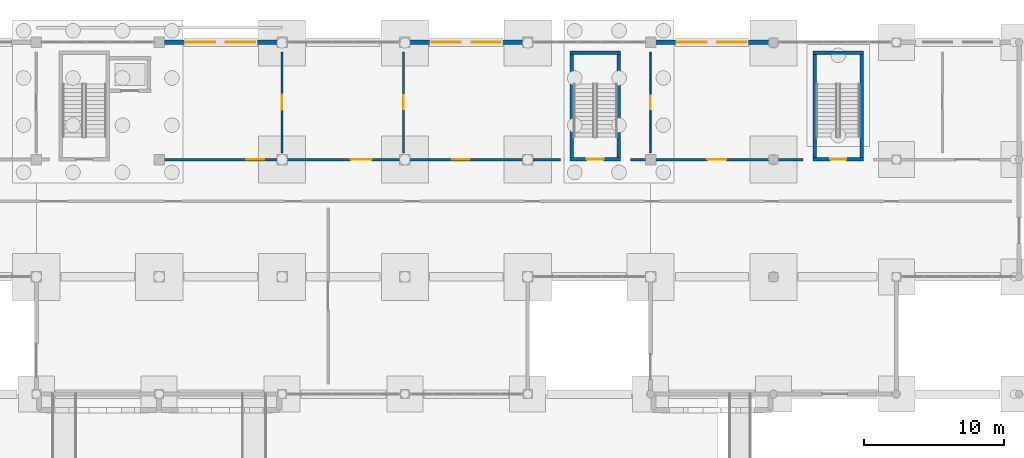
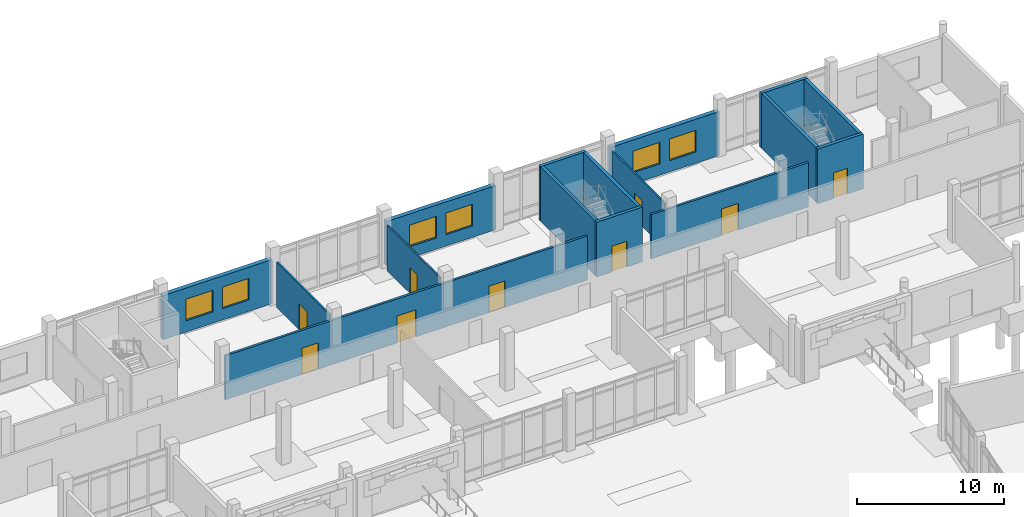
# One storey, part 49 of 72: 16 walls, 9 doors, 6 windows, 15 openings.
"""IFC4 building model written with IfcOpenShell, lengths in metres."""

from ifc_helpers import new_model, si_unit, direction, frame, frame_2d, origin, place, context, subcontext, project, spatial, rectangle, extrude, material, layer, layer_set, type_object, element, fill, save


model = new_model("IFC4")

# Units and contexts
model_context = context("Model", 3, precision=1e-05, world=origin(), true_north=direction((0.0, 1.0)))
body_context = subcontext(model_context, "Body", "Model", "MODEL_VIEW")
ifc_project = project(units=[si_unit("LENGTHUNIT", "METRE"), si_unit("AREAUNIT", "SQUARE_METRE"), si_unit("VOLUMEUNIT", "CUBIC_METRE"), si_unit("PLANEANGLEUNIT", "RADIAN"), si_unit("MASSUNIT", "GRAM", prefix="KILO")], contexts=[model_context])

# Site, building, storey
site_placement = place(None, origin())
site = spatial("IfcSite", under=ifc_project, at=site_placement, CompositionType="ELEMENT")
building_placement = place(site_placement, origin())
building = spatial("IfcBuilding", under=site, at=building_placement, Name="Cinderway Yard Community Centre", CompositionType="ELEMENT")
storey_placement = place(building_placement, origin())
storey = spatial("IfcBuildingStorey", under=building, at=storey_placement, Name="L00", CompositionType="ELEMENT", Elevation=0.0)

# Wall, openings, windows
ifc_material_1 = material(Name="Brick Masonry", Category="masonry")
ifc_layer_1 = layer(ifc_material_1, 0.340087890625, Name="Brick Masonry")
ifc_layer_set_1 = layer_set([ifc_layer_1], Name="Brick Masonry")
wall_type_1 = type_object("IfcWallType", Name="ENV-WAL-EXT340", PredefinedType="SOLIDWALL", material=ifc_layer_set_1)
wall_1_placement = place(storey_placement, frame((84.10009765625, 115.199951171875, 0.0), z_axis=(0.0, 0.0, 1.0), x_axis=(1.0, 0.0, 0.0)))
wall_1 = element("IfcWall", 1, at=wall_1_placement, inside=storey, type_object=wall_type_1, Name="V4 Street Brick Facade Wall ENV-WAL-L00-0129", PredefinedType="SOLIDWALL", context=body_context, shape_type="SweptSolid", body=[
    extrude(rectangle(XDim=8.599853515625, YDim=0.340087890625, at=frame_2d((4.2998046875, 0.0))), origin(), (0.0, 0.0, 1.0), 3.675048828125),
])
opening_1_placement = place(wall_1_placement, frame((1.81689453125, 0.0, 0.949951171875)))
opening_1 = element("IfcOpeningElement", 2, at=opening_1_placement, cuts=wall_1, Name="Opening W-09", PredefinedType="OPENING", context=body_context, shape_type="SweptSolid", body=[
    extrude(rectangle(XDim=2.10009765625, YDim=1.800048828125, at=frame_2d((1.050048828125, 0.89990234375))), frame((0.0, 0.179931640625, 0.0), z_axis=(0.0, -1.0, 0.0), x_axis=(1.0, 0.0, 0.0)), (0.0, 0.0, 1.0), 0.360107421875),
])
opening_2_placement = place(wall_1_placement, frame((4.68310546875, 0.0, 0.949951171875)))
opening_2 = element("IfcOpeningElement", 3, at=opening_2_placement, cuts=wall_1, Name="Opening W-09", PredefinedType="OPENING", context=body_context, shape_type="SweptSolid", body=[
    extrude(rectangle(XDim=2.10009765625, YDim=1.800048828125, at=frame_2d((1.050048828125, 0.89990234375))), frame((0.0, 0.179931640625, 0.0), z_axis=(0.0, -1.0, 0.0), x_axis=(1.0, 0.0, 0.0)), (0.0, 0.0, 1.0), 0.360107421875),
])
ifc_material_2 = material(Name="Laminated Low-E Glass", Category="glass")
window_type = type_object("IfcWindowType", Name="ENV-WIN-W09", PartitioningType="TRIPLE_PANEL_VERTICAL", PredefinedType="WINDOW", material=ifc_material_2)
window_1_placement = place(opening_1_placement, origin())
window_1 = element("IfcWindow", 4, at=window_1_placement, inside=storey, type_object=window_type, Name="Exterior window ENV-WIN-L00-0093", OverallHeight=1.800048828125, OverallWidth=2.10009765625, PartitioningType="SINGLE_PANEL", PredefinedType="WINDOW", context=body_context, shape_type="SweptSolid", body=[
    extrude(rectangle(XDim=2.10009765625, YDim=1.800048828125, at=frame_2d((1.050048828125, 0.89990234375))), frame((0.0, 0.030029296875, 0.0), z_axis=(0.0, -1.0, 0.0), x_axis=(1.0, 0.0, 0.0)), (0.0, 0.0, 1.0), 0.06005859375),
])
fill(opening_1, window_1)
window_2_placement = place(opening_2_placement, origin())
window_2 = element("IfcWindow", 5, at=window_2_placement, inside=storey, type_object=window_type, Name="Exterior window ENV-WIN-L00-0094", OverallHeight=1.800048828125, OverallWidth=2.10009765625, PartitioningType="SINGLE_PANEL", PredefinedType="WINDOW", context=body_context, shape_type="SweptSolid", body=[
    extrude(rectangle(XDim=2.10009765625, YDim=1.800048828125, at=frame_2d((1.050048828125, 0.89990234375))), frame((0.0, 0.030029296875, 0.0), z_axis=(0.0, -1.0, 0.0), x_axis=(1.0, 0.0, 0.0)), (0.0, 0.0, 1.0), 0.06005859375),
])
fill(opening_2, window_2)

wall_2_placement = place(storey_placement, frame((101.699951171875, 115.199951171875, 0.0), z_axis=(0.0, 0.0, 1.0), x_axis=(1.0, 0.0, 0.0)))
wall_2 = element("IfcWall", 6, at=wall_2_placement, inside=storey, type_object=wall_type_1, Name="V4 Street Brick Facade Wall ENV-WAL-L00-0131", PredefinedType="SOLIDWALL", context=body_context, shape_type="SweptSolid", body=[
    extrude(rectangle(XDim=8.60009765625, YDim=0.340087890625, at=frame_2d((4.300048828125, 0.0))), origin(), (0.0, 0.0, 1.0), 3.675048828125),
])
opening_3_placement = place(wall_2_placement, frame((1.81689453125, 0.0, 0.949951171875)))
opening_3 = element("IfcOpeningElement", 7, at=opening_3_placement, cuts=wall_2, Name="Opening W-09", PredefinedType="OPENING", context=body_context, shape_type="SweptSolid", body=[
    extrude(rectangle(XDim=2.10009765625, YDim=1.800048828125, at=frame_2d((1.050048828125, 0.89990234375))), frame((0.0, 0.179931640625, 0.0), z_axis=(0.0, -1.0, 0.0), x_axis=(1.0, 0.0, 0.0)), (0.0, 0.0, 1.0), 0.360107421875),
])
opening_4_placement = place(wall_2_placement, frame((4.68310546875, 0.0, 0.949951171875)))
opening_4 = element("IfcOpeningElement", 8, at=opening_4_placement, cuts=wall_2, Name="Opening W-09", PredefinedType="OPENING", context=body_context, shape_type="SweptSolid", body=[
    extrude(rectangle(XDim=2.10009765625, YDim=1.800048828125, at=frame_2d((1.050048828125, 0.89990234375))), frame((0.0, 0.179931640625, 0.0), z_axis=(0.0, -1.0, 0.0), x_axis=(1.0, 0.0, 0.0)), (0.0, 0.0, 1.0), 0.360107421875),
])
window_3_placement = place(opening_3_placement, origin())
window_3 = element("IfcWindow", 9, at=window_3_placement, inside=storey, type_object=window_type, Name="Exterior window ENV-WIN-L00-0095", OverallHeight=1.800048828125, OverallWidth=2.10009765625, PartitioningType="SINGLE_PANEL", PredefinedType="WINDOW", context=body_context, shape_type="SweptSolid", body=[
    extrude(rectangle(XDim=2.10009765625, YDim=1.800048828125, at=frame_2d((1.050048828125, 0.89990234375))), frame((0.0, 0.030029296875, 0.0), z_axis=(0.0, -1.0, 0.0), x_axis=(1.0, 0.0, 0.0)), (0.0, 0.0, 1.0), 0.06005859375),
])
fill(opening_3, window_3)
window_4_placement = place(opening_4_placement, origin())
window_4 = element("IfcWindow", 10, at=window_4_placement, inside=storey, type_object=window_type, Name="Exterior window ENV-WIN-L00-0096", OverallHeight=1.800048828125, OverallWidth=2.10009765625, PartitioningType="SINGLE_PANEL", PredefinedType="WINDOW", context=body_context, shape_type="SweptSolid", body=[
    extrude(rectangle(XDim=2.10009765625, YDim=1.800048828125, at=frame_2d((1.050048828125, 0.89990234375))), frame((0.0, 0.030029296875, 0.0), z_axis=(0.0, -1.0, 0.0), x_axis=(1.0, 0.0, 0.0)), (0.0, 0.0, 1.0), 0.06005859375),
])
fill(opening_4, window_4)

wall_3_placement = place(storey_placement, frame((119.300048828125, 115.199951171875, 0.0), z_axis=(0.0, 0.0, 1.0), x_axis=(1.0, 0.0, 0.0)))
wall_3 = element("IfcWall", 11, at=wall_3_placement, inside=storey, type_object=wall_type_1, Name="V4 Street Brick Facade Wall ENV-WAL-L00-0132", PredefinedType="SOLIDWALL", context=body_context, shape_type="SweptSolid", body=[
    extrude(rectangle(XDim=8.599853515625, YDim=0.340087890625, at=frame_2d((4.2998046875, 0.0))), origin(), (0.0, 0.0, 1.0), 3.675048828125),
])
opening_5_placement = place(wall_3_placement, frame((1.81689453125, 0.0, 0.949951171875)))
opening_5 = element("IfcOpeningElement", 12, at=opening_5_placement, cuts=wall_3, Name="Opening W-09", PredefinedType="OPENING", context=body_context, shape_type="SweptSolid", body=[
    extrude(rectangle(XDim=2.10009765625, YDim=1.800048828125, at=frame_2d((1.050048828125, 0.89990234375))), frame((0.0, 0.179931640625, 0.0), z_axis=(0.0, -1.0, 0.0), x_axis=(1.0, 0.0, 0.0)), (0.0, 0.0, 1.0), 0.360107421875),
])
opening_6_placement = place(wall_3_placement, frame((4.68310546875, 0.0, 0.949951171875)))
opening_6 = element("IfcOpeningElement", 13, at=opening_6_placement, cuts=wall_3, Name="Opening W-09", PredefinedType="OPENING", context=body_context, shape_type="SweptSolid", body=[
    extrude(rectangle(XDim=2.10009765625, YDim=1.800048828125, at=frame_2d((1.050048828125, 0.89990234375))), frame((0.0, 0.179931640625, 0.0), z_axis=(0.0, -1.0, 0.0), x_axis=(1.0, 0.0, 0.0)), (0.0, 0.0, 1.0), 0.360107421875),
])
window_5_placement = place(opening_5_placement, origin())
window_5 = element("IfcWindow", 14, at=window_5_placement, inside=storey, type_object=window_type, Name="Exterior window ENV-WIN-L00-0097", OverallHeight=1.800048828125, OverallWidth=2.10009765625, PartitioningType="SINGLE_PANEL", PredefinedType="WINDOW", context=body_context, shape_type="SweptSolid", body=[
    extrude(rectangle(XDim=2.10009765625, YDim=1.800048828125, at=frame_2d((1.050048828125, 0.89990234375))), frame((0.0, 0.030029296875, 0.0), z_axis=(0.0, -1.0, 0.0), x_axis=(1.0, 0.0, 0.0)), (0.0, 0.0, 1.0), 0.06005859375),
])
fill(opening_5, window_5)
window_6_placement = place(opening_6_placement, origin())
window_6 = element("IfcWindow", 15, at=window_6_placement, inside=storey, type_object=window_type, Name="Exterior window ENV-WIN-L00-0098", OverallHeight=1.800048828125, OverallWidth=2.10009765625, PartitioningType="SINGLE_PANEL", PredefinedType="WINDOW", context=body_context, shape_type="SweptSolid", body=[
    extrude(rectangle(XDim=2.10009765625, YDim=1.800048828125, at=frame_2d((1.050048828125, 0.89990234375))), frame((0.0, 0.030029296875, 0.0), z_axis=(0.0, -1.0, 0.0), x_axis=(1.0, 0.0, 0.0)), (0.0, 0.0, 1.0), 0.06005859375),
])
fill(opening_6, window_6)

# Wall, opening, door
ifc_material_3 = material(Name="Gypsum Board Partition", Category="gypsum")
ifc_layer_2 = layer(ifc_material_3, 0.1201171875, Name="Gypsum Board Partition")
ifc_layer_set_2 = layer_set([ifc_layer_2], Name="Gypsum Board Partition")
wall_type_2 = type_object("IfcWallType", Name="INT-WAL-PRT120", PredefinedType="PARTITIONING", material=ifc_layer_set_2)
wall_4_placement = place(storey_placement, frame((92.800048828125, 107.300048828125, 0.0), z_axis=(0.0, 0.0, 1.0), x_axis=(0.0, 1.0, 0.0)))
wall_4 = element("IfcWall", 16, at=wall_4_placement, inside=storey, type_object=wall_type_2, Name="V4 L00 North Room Partition INT-PRT-L00-0287", PredefinedType="PARTITIONING", context=body_context, shape_type="SweptSolid", body=[
    extrude(rectangle(XDim=7.199951171875, YDim=0.1201171875, at=frame_2d((3.60009765625, 0.0))), origin(), (0.0, 0.0, 1.0), 3.77490234375),
])
opening_7_placement = place(wall_4_placement, frame((3.070068359375, 0.0, 0.0)))
opening_7 = element("IfcOpeningElement", 17, at=opening_7_placement, cuts=wall_4, Name="Opening D-04", PredefinedType="OPENING", context=body_context, shape_type="SweptSolid", body=[
    extrude(rectangle(XDim=1.06005859375, YDim=2.159912109375, at=frame_2d((0.530029296875, 1.080078125))), frame((0.0, 0.070068359375, 0.0), z_axis=(0.0, -1.0, 0.0), x_axis=(1.0, 0.0, 0.0)), (0.0, 0.0, 1.0), 0.14013671875),
])
ifc_material_4 = material(Name="Hardwood Timber", Category="wood")
door_type_1 = type_object("IfcDoorType", Name="INT-DOR-CLS106", OperationType="NOTDEFINED", PredefinedType="DOOR", material=ifc_material_4)
door_1_placement = place(opening_7_placement, origin())
door_1 = element("IfcDoor", 18, at=door_1_placement, inside=storey, type_object=door_type_1, Name="Room door INT-DOR-L00-0150", OperationType="SINGLE_SWING_RIGHT", OverallHeight=2.159912109375, OverallWidth=1.06005859375, PredefinedType="DOOR", context=body_context, shape_type="SweptSolid", body=[
    extrude(rectangle(XDim=1.06005859375, YDim=2.159912109375, at=frame_2d((0.530029296875, 1.080078125))), frame((0.0, 0.02490234375, 0.0), z_axis=(0.0, -1.0, 0.0), x_axis=(1.0, 0.0, 0.0)), (0.0, 0.0, 1.0), 0.050048828125),
])
fill(opening_7, door_1)

wall_5_placement = place(storey_placement, frame((101.5, 107.300048828125, 0.0), z_axis=(0.0, 0.0, 1.0), x_axis=(0.0, 1.0, 0.0)))
wall_5 = element("IfcWall", 19, at=wall_5_placement, inside=storey, type_object=wall_type_2, Name="V4 L00 North Room Partition INT-PRT-L00-0288", PredefinedType="PARTITIONING", context=body_context, shape_type="SweptSolid", body=[
    extrude(rectangle(XDim=7.199951171875, YDim=0.1201171875, at=frame_2d((3.60009765625, 0.0))), origin(), (0.0, 0.0, 1.0), 3.77490234375),
])
opening_8_placement = place(wall_5_placement, frame((3.10009765625, 0.0, 0.0)))
opening_8 = element("IfcOpeningElement", 20, at=opening_8_placement, cuts=wall_5, Name="Opening D-05", PredefinedType="OPENING", context=body_context, shape_type="SweptSolid", body=[
    extrude(rectangle(XDim=1.0, YDim=2.139892578125, at=frame_2d((0.5, 1.06982421875))), frame((0.0, 0.070068359375, 0.0), z_axis=(0.0, -1.0, 0.0), x_axis=(1.0, 0.0, 0.0)), (0.0, 0.0, 1.0), 0.14013671875),
])
door_type_2 = type_object("IfcDoorType", Name="INT-DOR-CLS100", OperationType="NOTDEFINED", PredefinedType="DOOR", material=ifc_material_4)
door_2_placement = place(opening_8_placement, origin())
door_2 = element("IfcDoor", 21, at=door_2_placement, inside=storey, type_object=door_type_2, Name="Room door INT-DOR-L00-0151", OperationType="SINGLE_SWING_LEFT", OverallHeight=2.139892578125, OverallWidth=1.0, PredefinedType="DOOR", context=body_context, shape_type="SweptSolid", body=[
    extrude(rectangle(XDim=1.0, YDim=2.139892578125, at=frame_2d((0.5, 1.06982421875))), frame((0.0, 0.02490234375, 0.0), z_axis=(0.0, -1.0, 0.0), x_axis=(1.0, 0.0, 0.0)), (0.0, 0.0, 1.0), 0.050048828125),
])
fill(opening_8, door_2)

wall_6_placement = place(storey_placement, frame((119.199951171875, 107.300048828125, 0.0), z_axis=(0.0, 0.0, 1.0), x_axis=(0.0, 1.0, 0.0)))
wall_6 = element("IfcWall", 22, at=wall_6_placement, inside=storey, type_object=wall_type_2, Name="V4 L00 North Room Partition INT-PRT-L00-0289", PredefinedType="PARTITIONING", context=body_context, shape_type="SweptSolid", body=[
    extrude(rectangle(XDim=7.199951171875, YDim=0.1201171875, at=frame_2d((3.60009765625, 0.0))), origin(), (0.0, 0.0, 1.0), 3.77490234375),
])
opening_9_placement = place(wall_6_placement, frame((3.110107421875, 0.0, 0.0)))
opening_9 = element("IfcOpeningElement", 23, at=opening_9_placement, cuts=wall_6, Name="Opening D-06", PredefinedType="OPENING", context=body_context, shape_type="SweptSolid", body=[
    extrude(rectangle(XDim=0.97998046875, YDim=2.1201171875, at=frame_2d((0.489990234375, 1.06005859375))), frame((0.0, 0.070068359375, 0.0), z_axis=(0.0, -1.0, 0.0), x_axis=(1.0, 0.0, 0.0)), (0.0, 0.0, 1.0), 0.14013671875),
])
door_type_3 = type_object("IfcDoorType", Name="INT-DOR-OFF098", OperationType="NOTDEFINED", PredefinedType="DOOR", material=ifc_material_4)
door_3_placement = place(opening_9_placement, origin())
door_3 = element("IfcDoor", 24, at=door_3_placement, inside=storey, type_object=door_type_3, Name="Room door INT-DOR-L00-0152", OperationType="SINGLE_SWING_RIGHT", OverallHeight=2.1201171875, OverallWidth=0.97998046875, PredefinedType="DOOR", context=body_context, shape_type="SweptSolid", body=[
    extrude(rectangle(XDim=0.97998046875, YDim=2.1201171875, at=frame_2d((0.489990234375, 1.06005859375))), frame((0.0, 0.02490234375, 0.0), z_axis=(0.0, -1.0, 0.0), x_axis=(1.0, 0.0, 0.0)), (0.0, 0.0, 1.0), 0.050048828125),
])
fill(opening_9, door_3)

# Wall, openings, doors
ifc_layer_3 = layer(ifc_material_1, 0.179931640625, Name="Brick Masonry")
ifc_layer_set_3 = layer_set([ifc_layer_3], Name="Brick Masonry")
wall_type_3 = type_object("IfcWallType", Name="INT-WAL-PRT180", PredefinedType="PARTITIONING", material=ifc_layer_set_3)
wall_7_placement = place(storey_placement, frame((84.199951171875, 106.800048828125, 0.0), z_axis=(0.0, 0.0, 1.0), x_axis=(1.0, 0.0, 0.0)))
wall_7 = element("IfcWall", 25, at=wall_7_placement, inside=storey, type_object=wall_type_3, Name="V4 L00 North Corridor Spine INT-PRT-L00-0280", PredefinedType="PARTITIONING", context=body_context, shape_type="SweptSolid", body=[
    extrude(rectangle(XDim=28.530029296875, YDim=0.179931640625, at=frame_2d((14.26513671875, 0.0))), origin(), (0.0, 0.0, 1.0), 3.675048828125),
])
opening_10_placement = place(wall_7_placement, frame((6.032958984375, 0.0, 0.0)))
opening_10 = element("IfcOpeningElement", 26, at=opening_10_placement, cuts=wall_7, Name="Opening D-12", PredefinedType="OPENING", context=body_context, shape_type="SweptSolid", body=[
    extrude(rectangle(XDim=1.300048828125, YDim=2.199951171875, at=frame_2d((0.64990234375, 1.10009765625))), frame((0.0, 0.099853515625, 0.0), z_axis=(0.0, -1.0, 0.0), x_axis=(1.0, 0.0, 0.0)), (0.0, 0.0, 1.0), 0.199951171875),
])
opening_11_placement = place(wall_7_placement, frame((13.514892578125, 0.0, 0.0)))
opening_11 = element("IfcOpeningElement", 27, at=opening_11_placement, cuts=wall_7, Name="Opening D-13", PredefinedType="OPENING", context=body_context, shape_type="SweptSolid", body=[
    extrude(rectangle(XDim=1.5, YDim=2.25, at=frame_2d((0.75, 1.125))), frame((0.0, 0.099853515625, 0.0), z_axis=(0.0, -1.0, 0.0), x_axis=(1.0, 0.0, 0.0)), (0.0, 0.0, 1.0), 0.199951171875),
])
opening_12_placement = place(wall_7_placement, frame((20.777099609375, 0.0, 0.0)))
opening_12 = element("IfcOpeningElement", 28, at=opening_12_placement, cuts=wall_7, Name="Opening D-14", PredefinedType="OPENING", context=body_context, shape_type="SweptSolid", body=[
    extrude(rectangle(XDim=1.239990234375, YDim=2.199951171875, at=frame_2d((0.6201171875, 1.10009765625))), frame((0.0, 0.099853515625, 0.0), z_axis=(0.0, -1.0, 0.0), x_axis=(1.0, 0.0, 0.0)), (0.0, 0.0, 1.0), 0.199951171875),
])
ifc_material_5 = material(Name="Painted Galvanised Steel", Category="steel")
door_type_4 = type_object("IfcDoorType", Name="INT-DOR-PLT130", OperationType="NOTDEFINED", PredefinedType="DOOR", material=ifc_material_5)
door_4_placement = place(opening_10_placement, origin())
door_4 = element("IfcDoor", 29, at=door_4_placement, inside=storey, type_object=door_type_4, Name="Room door INT-DOR-L00-0141", OperationType="SINGLE_SWING_RIGHT", OverallHeight=2.199951171875, OverallWidth=1.300048828125, PredefinedType="DOOR", context=body_context, shape_type="SweptSolid", body=[
    extrude(rectangle(XDim=1.300048828125, YDim=2.199951171875, at=frame_2d((0.64990234375, 1.10009765625))), frame((0.0, 0.02490234375, 0.0), z_axis=(0.0, -1.0, 0.0), x_axis=(1.0, 0.0, 0.0)), (0.0, 0.0, 1.0), 0.050048828125),
])
fill(opening_10, door_4)
door_type_5 = type_object("IfcDoorType", Name="INT-DOR-PLT150", OperationType="DOUBLE_DOOR_SINGLE_SWING", PredefinedType="DOOR", material=ifc_material_5)
door_5_placement = place(opening_11_placement, origin())
door_5 = element("IfcDoor", 30, at=door_5_placement, inside=storey, type_object=door_type_5, Name="Room door INT-DOR-L00-0142", OperationType="DOUBLE_DOOR_SINGLE_SWING", OverallHeight=2.25, OverallWidth=1.5, PredefinedType="DOOR", context=body_context, shape_type="SweptSolid", body=[
    extrude(rectangle(XDim=1.5, YDim=2.25, at=frame_2d((0.75, 1.125))), frame((0.0, 0.02490234375, 0.0), z_axis=(0.0, -1.0, 0.0), x_axis=(1.0, 0.0, 0.0)), (0.0, 0.0, 1.0), 0.050048828125),
])
fill(opening_11, door_5)
door_type_6 = type_object("IfcDoorType", Name="INT-DOR-STU124", OperationType="NOTDEFINED", PredefinedType="DOOR", material=ifc_material_4)
door_6_placement = place(opening_12_placement, origin())
door_6 = element("IfcDoor", 31, at=door_6_placement, inside=storey, type_object=door_type_6, Name="Room door INT-DOR-L00-0143", OperationType="SINGLE_SWING_LEFT", OverallHeight=2.199951171875, OverallWidth=1.239990234375, PredefinedType="DOOR", context=body_context, shape_type="SweptSolid", body=[
    extrude(rectangle(XDim=1.239990234375, YDim=2.199951171875, at=frame_2d((0.6201171875, 1.10009765625))), frame((0.0, 0.02490234375, 0.0), z_axis=(0.0, -1.0, 0.0), x_axis=(1.0, 0.0, 0.0)), (0.0, 0.0, 1.0), 0.050048828125),
])
fill(opening_12, door_6)

# Wall, opening, door
wall_8_placement = place(storey_placement, frame((117.75, 106.800048828125, 0.0), z_axis=(0.0, 0.0, 1.0), x_axis=(1.0, 0.0, 0.0)))
wall_8 = element("IfcWall", 32, at=wall_8_placement, inside=storey, type_object=wall_type_3, Name="V4 L00 North Corridor Spine INT-PRT-L00-0281", PredefinedType="PARTITIONING", context=body_context, shape_type="SweptSolid", body=[
    extrude(rectangle(XDim=12.3798828125, YDim=0.179931640625, at=frame_2d((6.18994140625, 0.0))), origin(), (0.0, 0.0, 1.0), 3.675048828125),
])
opening_13_placement = place(wall_8_placement, frame((5.510009765625, 0.0, 0.0)))
opening_13 = element("IfcOpeningElement", 33, at=opening_13_placement, cuts=wall_8, Name="Opening D-15", PredefinedType="OPENING", context=body_context, shape_type="SweptSolid", body=[
    extrude(rectangle(XDim=1.360107421875, YDim=2.219970703125, at=frame_2d((0.68017578125, 1.10986328125))), frame((0.0, 0.099853515625, 0.0), z_axis=(0.0, -1.0, 0.0), x_axis=(1.0, 0.0, 0.0)), (0.0, 0.0, 1.0), 0.199951171875),
])
door_type_7 = type_object("IfcDoorType", Name="INT-DOR-STU136", OperationType="DOUBLE_DOOR_SINGLE_SWING", PredefinedType="DOOR", material=ifc_material_4)
door_7_placement = place(opening_13_placement, origin())
door_7 = element("IfcDoor", 34, at=door_7_placement, inside=storey, type_object=door_type_7, Name="Room door INT-DOR-L00-0144", OperationType="DOUBLE_DOOR_SINGLE_SWING", OverallHeight=2.219970703125, OverallWidth=1.360107421875, PredefinedType="DOOR", context=body_context, shape_type="SweptSolid", body=[
    extrude(rectangle(XDim=1.360107421875, YDim=2.219970703125, at=frame_2d((0.68017578125, 1.10986328125))), frame((0.0, 0.02490234375, 0.0), z_axis=(0.0, -1.0, 0.0), x_axis=(1.0, 0.0, 0.0)), (0.0, 0.0, 1.0), 0.050048828125),
])
fill(opening_13, door_7)

ifc_material_6 = material(Name="Concrete C40/50", Category="concrete")
ifc_layer_4 = layer(ifc_material_6, 0.25, Name="Concrete C40/50")
ifc_layer_set_4 = layer_set([ifc_layer_4], Name="Concrete C40/50")
wall_type_4 = type_object("IfcWallType", Name="INT-WAL-SHR250", PredefinedType="SHEAR", material=ifc_layer_set_4)
wall_9_placement = place(storey_placement, frame((117.044921875, 106.830078125, 0.0), z_axis=(0.0, 0.0, 1.0), x_axis=(-1.0, 0.0, 0.0)))
wall_9 = element("IfcWall", 35, at=wall_9_placement, inside=storey, type_object=wall_type_4, Name="Stair ST-03 Entry Wall INT-WAL-L00-0085", PredefinedType="SHEAR", context=body_context, shape_type="SweptSolid", body=[
    extrude(rectangle(XDim=3.60986328125, YDim=0.25, at=frame_2d((1.804931640625, 0.0))), origin(), (0.0, 0.0, 1.0), 4.56005859375),
])
opening_14_placement = place(wall_9_placement, frame((1.205078125, 0.0, 0.0)))
opening_14 = element("IfcOpeningElement", 36, at=opening_14_placement, cuts=wall_9, Name="Opening D-ST1", PredefinedType="OPENING", context=body_context, shape_type="SweptSolid", body=[
    extrude(rectangle(XDim=1.199951171875, YDim=2.14990234375, at=frame_2d((0.60009765625, 1.074951171875))), frame((0.0, 0.135009765625, 0.0), z_axis=(0.0, -1.0, 0.0), x_axis=(1.0, 0.0, 0.0)), (0.0, 0.0, 1.0), 0.27001953125),
])
door_type_8 = type_object("IfcDoorType", Name="INT-DOR-ST120", OperationType="NOTDEFINED", PredefinedType="DOOR", material=ifc_material_5)
door_8_placement = place(opening_14_placement, origin())
door_8 = element("IfcDoor", 37, at=door_8_placement, inside=storey, type_object=door_type_8, Name="Core door INT-DOR-L00-0025", OperationType="SINGLE_SWING_LEFT", OverallHeight=2.14990234375, OverallWidth=1.199951171875, PredefinedType="DOOR", context=body_context, shape_type="SweptSolid", body=[
    extrude(rectangle(XDim=1.199951171875, YDim=2.14990234375, at=frame_2d((0.60009765625, 1.074951171875))), frame((0.0, 0.02490234375, 0.0), z_axis=(0.0, -1.0, 0.0), x_axis=(1.0, 0.0, 0.0)), (0.0, 0.0, 1.0), 0.050048828125),
])
fill(opening_14, door_8)

# Walls
wall_10_placement = place(storey_placement, frame((113.43505859375, 114.469970703125, 0.0), z_axis=(0.0, 0.0, 1.0), x_axis=(1.0, 0.0, 0.0)))
element("IfcWall", 38, at=wall_10_placement, inside=storey, type_object=wall_type_4, Name="Stair ST-03 Back Wall INT-WAL-L00-0086", PredefinedType="SHEAR", context=body_context, shape_type="SweptSolid", body=[
    extrude(rectangle(XDim=3.60986328125, YDim=0.25, at=frame_2d((1.804931640625, 0.0))), origin(), (0.0, 0.0, 1.0), 4.56005859375),
])
for number, where, z_axis, x_axis, name in (
    (39, (113.56005859375, 106.955078125, 0.0), (0.0, 0.0, 1.0), (0.0, 1.0, 0.0), "Stair ST-03 Side Wall L INT-WAL-L00-0087"),
    (40, (116.919921875, 114.344970703125, 0.0), (0.0, 0.0, 1.0), (0.0, -1.0, 0.0), "Stair ST-03 Side Wall R INT-WAL-L00-0088"),
):
    element("IfcWall", number, at=place(storey_placement, frame(where, z_axis=z_axis, x_axis=x_axis)), inside=storey, type_object=wall_type_4, Name=name, PredefinedType="SHEAR", context=body_context, shape_type="SweptSolid", body=[
        extrude(rectangle(XDim=7.389892578125, YDim=0.25, at=frame_2d((3.69482421875, 0.0))), origin(), (0.0, 0.0, 1.0), 4.56005859375),
    ])

# Wall, opening, door
wall_11_placement = place(storey_placement, frame((134.445068359375, 106.830078125, 0.0), z_axis=(0.0, 0.0, 1.0), x_axis=(-1.0, 0.0, 0.0)))
wall_11 = element("IfcWall", 41, at=wall_11_placement, inside=storey, type_object=wall_type_4, Name="Stair ST-04 Entry Wall INT-WAL-L00-0109", PredefinedType="SHEAR", context=body_context, shape_type="SweptSolid", body=[
    extrude(rectangle(XDim=3.610107421875, YDim=0.25, at=frame_2d((1.80517578125, 0.0))), origin(), (0.0, 0.0, 1.0), 4.56005859375),
])
opening_15_placement = place(wall_11_placement, frame((1.235107421875, 0.0, 0.0)))
opening_15 = element("IfcOpeningElement", 42, at=opening_15_placement, cuts=wall_11, Name="Opening D-ST2", PredefinedType="OPENING", context=body_context, shape_type="SweptSolid", body=[
    extrude(rectangle(XDim=1.139892578125, YDim=2.14990234375, at=frame_2d((0.56982421875, 1.074951171875))), frame((0.0, 0.135009765625, 0.0), z_axis=(0.0, -1.0, 0.0), x_axis=(1.0, 0.0, 0.0)), (0.0, 0.0, 1.0), 0.27001953125),
])
door_type_9 = type_object("IfcDoorType", Name="INT-DOR-ST114", OperationType="NOTDEFINED", PredefinedType="DOOR", material=ifc_material_5)
door_9_placement = place(opening_15_placement, origin())
door_9 = element("IfcDoor", 43, at=door_9_placement, inside=storey, type_object=door_type_9, Name="Core door INT-DOR-L00-0031", OperationType="SINGLE_SWING_LEFT", OverallHeight=2.14990234375, OverallWidth=1.139892578125, PredefinedType="DOOR", context=body_context, shape_type="SweptSolid", body=[
    extrude(rectangle(XDim=1.139892578125, YDim=2.14990234375, at=frame_2d((0.56982421875, 1.074951171875))), frame((0.0, 0.02490234375, 0.0), z_axis=(0.0, -1.0, 0.0), x_axis=(1.0, 0.0, 0.0)), (0.0, 0.0, 1.0), 0.050048828125),
])
fill(opening_15, door_9)

# Walls
wall_12_placement = place(storey_placement, frame((130.8349609375, 114.469970703125, 0.0), z_axis=(0.0, 0.0, 1.0), x_axis=(1.0, 0.0, 0.0)))
element("IfcWall", 44, at=wall_12_placement, inside=storey, type_object=wall_type_4, Name="Stair ST-04 Back Wall INT-WAL-L00-0110", PredefinedType="SHEAR", context=body_context, shape_type="SweptSolid", body=[
    extrude(rectangle(XDim=3.610107421875, YDim=0.25, at=frame_2d((1.80517578125, 0.0))), origin(), (0.0, 0.0, 1.0), 4.56005859375),
])
for number, where, z_axis, x_axis, name in (
    (45, (130.9599609375, 106.955078125, 0.0), (0.0, 0.0, 1.0), (0.0, 1.0, 0.0), "Stair ST-04 Side Wall L INT-WAL-L00-0111"),
    (46, (134.320068359375, 114.344970703125, 0.0), (0.0, 0.0, 1.0), (0.0, -1.0, 0.0), "Stair ST-04 Side Wall R INT-WAL-L00-0112"),
):
    element("IfcWall", number, at=place(storey_placement, frame(where, z_axis=z_axis, x_axis=x_axis)), inside=storey, type_object=wall_type_4, Name=name, PredefinedType="SHEAR", context=body_context, shape_type="SweptSolid", body=[
        extrude(rectangle(XDim=7.389892578125, YDim=0.25, at=frame_2d((3.69482421875, 0.0))), origin(), (0.0, 0.0, 1.0), 4.56005859375),
    ])

save(model, "model.ifc")
